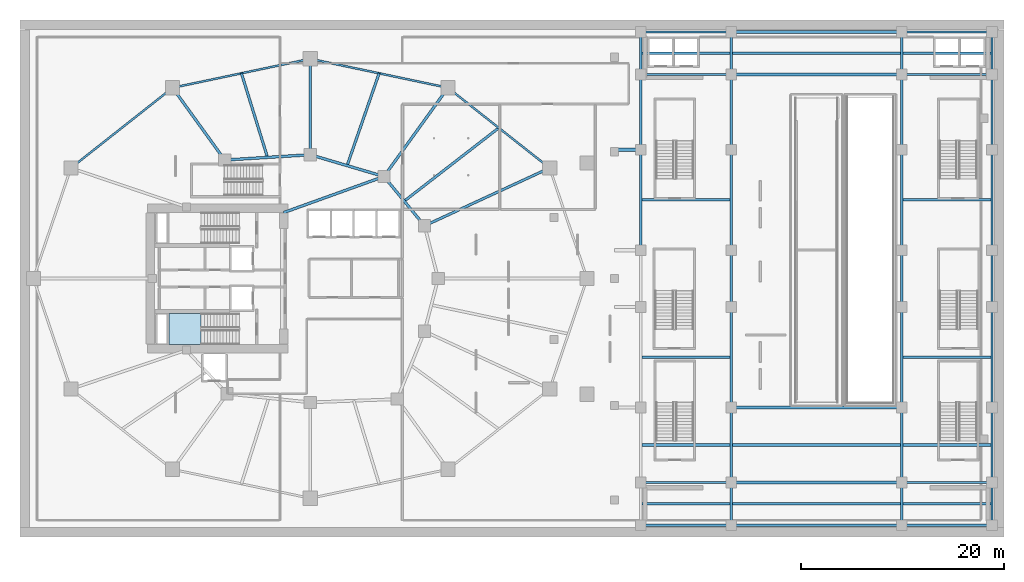
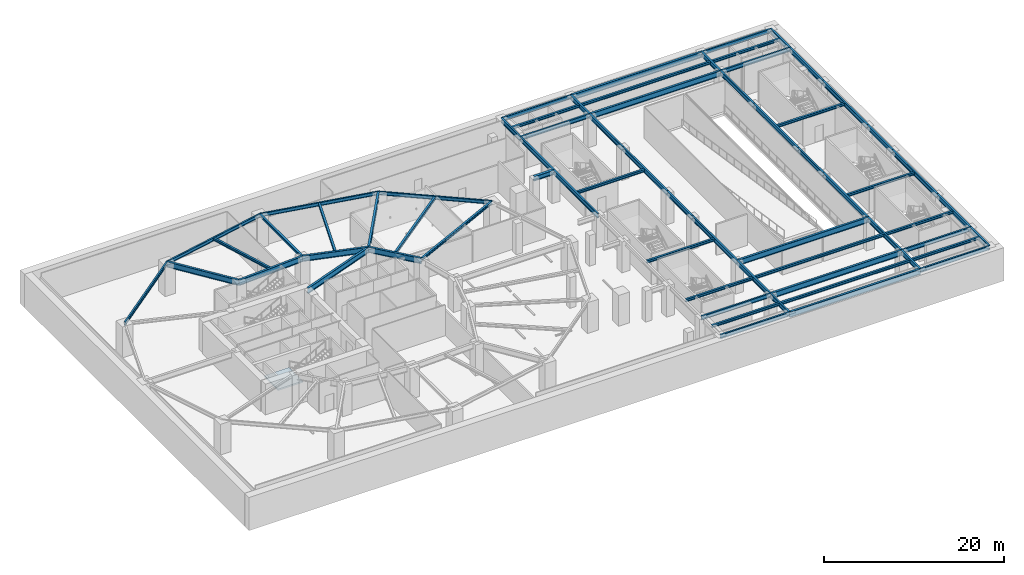
# One storey, part 2 of 16: 66 beams, 1 slab, 1 element without a shape of its own.
"""IFC4 building model written with IfcOpenShell, lengths in metres."""

from ifc_helpers import new_model, si_unit, direction, frame, origin, origin_2d, place, context, subcontext, project, spatial, polyline, i_section, outline, extrude, material, layer, layer_set, material_profile, profile_set, type_object, element, aggregate, save


model = new_model("IFC4")

# Units and contexts
model_context = context("Model", 3, precision=1e-05, world=origin(), true_north=direction((0.0, 1.0)))
body_context = subcontext(model_context, "Body", "Model", "MODEL_VIEW")
ifc_project = project(units=[si_unit("LENGTHUNIT", "METRE"), si_unit("AREAUNIT", "SQUARE_METRE"), si_unit("VOLUMEUNIT", "CUBIC_METRE"), si_unit("PLANEANGLEUNIT", "RADIAN"), si_unit("MASSUNIT", "GRAM", prefix="KILO")], contexts=[model_context])

# Site, building, storey
site_placement = place(None, origin())
site = spatial("IfcSite", under=ifc_project, at=site_placement, CompositionType="ELEMENT")
building_placement = place(site_placement, origin())
building = spatial("IfcBuilding", under=site, at=building_placement, Name="Kolvaren Gate Tower and Convention Centre", CompositionType="ELEMENT")
storey_placement = place(building_placement, frame((0.0, 0.0, -9.0)))
storey = spatial("IfcBuildingStorey", under=building, at=storey_placement, Name="B2", CompositionType="ELEMENT", Elevation=-9.0)

# Beams
ifc_material_1 = material(Name="Structural steel ASTM A992 Grade 345 MPa", Category="steel")
ifc_material_profile_1 = material_profile(ifc_material_1, i_section(OverallWidth=0.2119140625, OverallDepth=0.5439453125, WebThickness=0.01318359375, FlangeThickness=0.021240234375, at=origin_2d()), Name="W530X123")
ifc_profile_set_1 = profile_set([ifc_material_profile_1], Name="Structural steel ASTM A992 Grade 345 MPa")
beam_type_1 = type_object("IfcBeamType", Name="STR-BM-W530X123", PredefinedType="BEAM", material=ifc_profile_set_1)
for number, where, z_axis, x_axis, name in (
    (1, (62.699951171875, 2.699951171875, 3.907958984375), (1.0, 0.0, 0.0), (0.0, 1.0, 0.0), "Convention B2 Transverse Girder CTG-11"),
    (2, (88.39990234375, 2.699951171875, 3.907958984375), (1.0, 0.0, 0.0), (0.0, 1.0, 0.0), "Convention B2 Transverse Girder CTG-31"),
    (3, (62.699951171875, 6.89990234375, 3.907958984375), (1.0, 0.0, 0.0), (0.0, 1.0, 0.0), "Convention B2 Transverse Girder CTG-12"),
    (4, (88.39990234375, 6.89990234375, 3.907958984375), (1.0, 0.0, 0.0), (0.0, 1.0, 0.0), "Convention B2 Transverse Girder CTG-32"),
    (5, (62.699951171875, 47.10009765625, 3.907958984375), (1.0, 0.0, 0.0), (0.0, 1.0, 0.0), "Convention B2 Transverse Girder CTG-17"),
    (6, (88.39990234375, 47.10009765625, 3.907958984375), (1.0, 0.0, 0.0), (0.0, 1.0, 0.0), "Convention B2 Transverse Girder CTG-37"),
    (7, (62.699951171875, 51.300048828125, 3.907958984375), (1.0, 0.0, 0.0), (0.0, 1.0, 0.0), "Convention B2 Transverse Girder CTG-18"),
    (8, (88.39990234375, 51.300048828125, 3.907958984375), (1.0, 0.0, 0.0), (0.0, 1.0, 0.0), "Convention B2 Transverse Girder CTG-38"),
):
    element("IfcBeam", number, at=place(storey_placement, frame(where, z_axis=z_axis, x_axis=x_axis)), inside=storey, type_object=beam_type_1, Name=name, PredefinedType="BEAM", context=body_context, shape_type="SweptSolid", body=[
        extrude(i_section(OverallWidth=0.2119140625, OverallDepth=0.5439453125, WebThickness=0.01318359375, FlangeThickness=0.021240234375, at=origin_2d()), origin(), (0.0, 0.0, 1.0), 8.900146484375),
    ])
ifc_material_profile_2 = material_profile(ifc_material_1, i_section(OverallWidth=0.22998046875, OverallDepth=0.616943359375, WebThickness=0.01318359375, FlangeThickness=0.022216796875, at=origin_2d()), Name="W610X140")
ifc_profile_set_2 = profile_set([ifc_material_profile_2], Name="Structural steel ASTM A992 Grade 345 MPa")
beam_type_2 = type_object("IfcBeamType", Name="STR-BM-W610X140", PredefinedType="BEAM", material=ifc_profile_set_2)
beam_1_placement = place(storey_placement, frame((62.699951171875, 29.800048828125, 3.87158203125), z_axis=(0.0, 1.0, 0.0), x_axis=(-1.0, 0.0, 0.0)))
element("IfcBeam", 9, at=beam_1_placement, inside=storey, type_object=beam_type_2, Name="Convention B2 Longitudinal Girder CG-15", PredefinedType="BEAM", context=body_context, shape_type="SweptSolid", body=[
    extrude(i_section(OverallWidth=0.22998046875, OverallDepth=0.616943359375, WebThickness=0.01318359375, FlangeThickness=0.022216796875, at=origin_2d()), origin(), (0.0, 0.0, 1.0), 9.89990234375),
])
beam_2_placement = place(storey_placement, frame((62.699951171875, 39.699951171875, 3.87158203125), z_axis=(0.0, 1.0, 0.0), x_axis=(-1.0, 0.0, 0.0)))
element("IfcBeam", 10, at=beam_2_placement, inside=storey, type_object=beam_type_2, Name="Convention B2 Longitudinal Girder CG-16", PredefinedType="BEAM", context=body_context, shape_type="SweptSolid", body=[
    extrude(i_section(OverallWidth=0.22998046875, OverallDepth=0.616943359375, WebThickness=0.01318359375, FlangeThickness=0.022216796875, at=origin_2d()), origin(), (0.0, 0.0, 1.0), 7.400146484375),
])
for number, where, z_axis, x_axis, name in (
    (11, (62.699951171875, 47.10009765625, 3.87158203125), (0.0, 1.0, 0.0), (-1.0, 0.0, 0.0), "Convention B2 Longitudinal Girder CG-17"),
    (12, (71.60009765625, 2.699951171875, 3.87158203125), (0.0, 1.0, 0.0), (-1.0, 0.0, 0.0), "Convention B2 Longitudinal Girder CG-21"),
):
    element("IfcBeam", number, at=place(storey_placement, frame(where, z_axis=z_axis, x_axis=x_axis)), inside=storey, type_object=beam_type_2, Name=name, PredefinedType="BEAM", context=body_context, shape_type="SweptSolid", body=[
        extrude(i_section(OverallWidth=0.22998046875, OverallDepth=0.616943359375, WebThickness=0.01318359375, FlangeThickness=0.022216796875, at=origin_2d()), origin(), (0.0, 0.0, 1.0), 4.199951171875),
    ])
beam_3_placement = place(storey_placement, frame((71.60009765625, 6.89990234375, 3.87158203125), z_axis=(0.0, 1.0, 0.0), x_axis=(-1.0, 0.0, 0.0)))
element("IfcBeam", 13, at=beam_3_placement, inside=storey, type_object=beam_type_2, Name="Convention B2 Longitudinal Girder CG-22", PredefinedType="BEAM", context=body_context, shape_type="SweptSolid", body=[
    extrude(i_section(OverallWidth=0.22998046875, OverallDepth=0.616943359375, WebThickness=0.01318359375, FlangeThickness=0.022216796875, at=origin_2d()), origin(), (0.0, 0.0, 1.0), 7.400146484375),
])
beam_4_placement = place(storey_placement, frame((71.60009765625, 14.300048828125, 3.87158203125), z_axis=(0.0, 1.0, 0.0), x_axis=(-1.0, 0.0, 0.0)))
element("IfcBeam", 14, at=beam_4_placement, inside=storey, type_object=beam_type_2, Name="Convention B2 Longitudinal Girder CG-23", PredefinedType="BEAM", context=body_context, shape_type="SweptSolid", body=[
    extrude(i_section(OverallWidth=0.22998046875, OverallDepth=0.616943359375, WebThickness=0.01318359375, FlangeThickness=0.022216796875, at=origin_2d()), origin(), (0.0, 0.0, 1.0), 9.89990234375),
])
beam_5_placement = place(storey_placement, frame((71.60009765625, 24.199951171875, 3.87158203125), z_axis=(0.0, 1.0, 0.0), x_axis=(-1.0, 0.0, 0.0)))
element("IfcBeam", 15, at=beam_5_placement, inside=storey, type_object=beam_type_2, Name="Convention B2 Longitudinal Girder CG-24", PredefinedType="BEAM", context=body_context, shape_type="SweptSolid", body=[
    extrude(i_section(OverallWidth=0.22998046875, OverallDepth=0.616943359375, WebThickness=0.01318359375, FlangeThickness=0.022216796875, at=origin_2d()), origin(), (0.0, 0.0, 1.0), 5.60009765625),
])
beam_6_placement = place(storey_placement, frame((71.60009765625, 29.800048828125, 3.87158203125), z_axis=(0.0, 1.0, 0.0), x_axis=(-1.0, 0.0, 0.0)))
element("IfcBeam", 16, at=beam_6_placement, inside=storey, type_object=beam_type_2, Name="Convention B2 Longitudinal Girder CG-25", PredefinedType="BEAM", context=body_context, shape_type="SweptSolid", body=[
    extrude(i_section(OverallWidth=0.22998046875, OverallDepth=0.616943359375, WebThickness=0.01318359375, FlangeThickness=0.022216796875, at=origin_2d()), origin(), (0.0, 0.0, 1.0), 9.89990234375),
])
beam_7_placement = place(storey_placement, frame((71.60009765625, 39.699951171875, 3.87158203125), z_axis=(0.0, 1.0, 0.0), x_axis=(-1.0, 0.0, 0.0)))
element("IfcBeam", 17, at=beam_7_placement, inside=storey, type_object=beam_type_2, Name="Convention B2 Longitudinal Girder CG-26", PredefinedType="BEAM", context=body_context, shape_type="SweptSolid", body=[
    extrude(i_section(OverallWidth=0.22998046875, OverallDepth=0.616943359375, WebThickness=0.01318359375, FlangeThickness=0.022216796875, at=origin_2d()), origin(), (0.0, 0.0, 1.0), 7.400146484375),
])
for number, where, z_axis, x_axis, name in (
    (18, (71.60009765625, 47.10009765625, 3.87158203125), (0.0, 1.0, 0.0), (-1.0, 0.0, 0.0), "Convention B2 Longitudinal Girder CG-27"),
    (19, (88.39990234375, 2.699951171875, 3.87158203125), (0.0, 1.0, 0.0), (-1.0, 0.0, 0.0), "Convention B2 Longitudinal Girder CG-31"),
):
    element("IfcBeam", number, at=place(storey_placement, frame(where, z_axis=z_axis, x_axis=x_axis)), inside=storey, type_object=beam_type_2, Name=name, PredefinedType="BEAM", context=body_context, shape_type="SweptSolid", body=[
        extrude(i_section(OverallWidth=0.22998046875, OverallDepth=0.616943359375, WebThickness=0.01318359375, FlangeThickness=0.022216796875, at=origin_2d()), origin(), (0.0, 0.0, 1.0), 4.199951171875),
    ])
beam_8_placement = place(storey_placement, frame((88.39990234375, 6.89990234375, 3.87158203125), z_axis=(0.0, 1.0, 0.0), x_axis=(-1.0, 0.0, 0.0)))
element("IfcBeam", 20, at=beam_8_placement, inside=storey, type_object=beam_type_2, Name="Convention B2 Longitudinal Girder CG-32", PredefinedType="BEAM", context=body_context, shape_type="SweptSolid", body=[
    extrude(i_section(OverallWidth=0.22998046875, OverallDepth=0.616943359375, WebThickness=0.01318359375, FlangeThickness=0.022216796875, at=origin_2d()), origin(), (0.0, 0.0, 1.0), 7.400146484375),
])
beam_9_placement = place(storey_placement, frame((88.39990234375, 14.300048828125, 3.87158203125), z_axis=(0.0, 1.0, 0.0), x_axis=(-1.0, 0.0, 0.0)))
element("IfcBeam", 21, at=beam_9_placement, inside=storey, type_object=beam_type_2, Name="Convention B2 Longitudinal Girder CG-33", PredefinedType="BEAM", context=body_context, shape_type="SweptSolid", body=[
    extrude(i_section(OverallWidth=0.22998046875, OverallDepth=0.616943359375, WebThickness=0.01318359375, FlangeThickness=0.022216796875, at=origin_2d()), origin(), (0.0, 0.0, 1.0), 9.89990234375),
])
beam_10_placement = place(storey_placement, frame((88.39990234375, 24.199951171875, 3.87158203125), z_axis=(0.0, 1.0, 0.0), x_axis=(-1.0, 0.0, 0.0)))
element("IfcBeam", 22, at=beam_10_placement, inside=storey, type_object=beam_type_2, Name="Convention B2 Longitudinal Girder CG-34", PredefinedType="BEAM", context=body_context, shape_type="SweptSolid", body=[
    extrude(i_section(OverallWidth=0.22998046875, OverallDepth=0.616943359375, WebThickness=0.01318359375, FlangeThickness=0.022216796875, at=origin_2d()), origin(), (0.0, 0.0, 1.0), 5.60009765625),
])
beam_11_placement = place(storey_placement, frame((88.39990234375, 29.800048828125, 3.87158203125), z_axis=(0.0, 1.0, 0.0), x_axis=(-1.0, 0.0, 0.0)))
element("IfcBeam", 23, at=beam_11_placement, inside=storey, type_object=beam_type_2, Name="Convention B2 Longitudinal Girder CG-35", PredefinedType="BEAM", context=body_context, shape_type="SweptSolid", body=[
    extrude(i_section(OverallWidth=0.22998046875, OverallDepth=0.616943359375, WebThickness=0.01318359375, FlangeThickness=0.022216796875, at=origin_2d()), origin(), (0.0, 0.0, 1.0), 9.89990234375),
])
beam_12_placement = place(storey_placement, frame((88.39990234375, 39.699951171875, 3.87158203125), z_axis=(0.0, 1.0, 0.0), x_axis=(-1.0, 0.0, 0.0)))
element("IfcBeam", 24, at=beam_12_placement, inside=storey, type_object=beam_type_2, Name="Convention B2 Longitudinal Girder CG-36", PredefinedType="BEAM", context=body_context, shape_type="SweptSolid", body=[
    extrude(i_section(OverallWidth=0.22998046875, OverallDepth=0.616943359375, WebThickness=0.01318359375, FlangeThickness=0.022216796875, at=origin_2d()), origin(), (0.0, 0.0, 1.0), 7.400146484375),
])
for number, where, z_axis, x_axis, name in (
    (25, (88.39990234375, 47.10009765625, 3.87158203125), (0.0, 1.0, 0.0), (-1.0, 0.0, 0.0), "Convention B2 Longitudinal Girder CG-37"),
    (26, (97.300048828125, 2.699951171875, 3.87158203125), (0.0, 1.0, 0.0), (-1.0, 0.0, 0.0), "Convention B2 Longitudinal Girder CG-41"),
):
    element("IfcBeam", number, at=place(storey_placement, frame(where, z_axis=z_axis, x_axis=x_axis)), inside=storey, type_object=beam_type_2, Name=name, PredefinedType="BEAM", context=body_context, shape_type="SweptSolid", body=[
        extrude(i_section(OverallWidth=0.22998046875, OverallDepth=0.616943359375, WebThickness=0.01318359375, FlangeThickness=0.022216796875, at=origin_2d()), origin(), (0.0, 0.0, 1.0), 4.199951171875),
    ])
beam_13_placement = place(storey_placement, frame((97.300048828125, 6.89990234375, 3.87158203125), z_axis=(0.0, 1.0, 0.0), x_axis=(-1.0, 0.0, 0.0)))
element("IfcBeam", 27, at=beam_13_placement, inside=storey, type_object=beam_type_2, Name="Convention B2 Longitudinal Girder CG-42", PredefinedType="BEAM", context=body_context, shape_type="SweptSolid", body=[
    extrude(i_section(OverallWidth=0.22998046875, OverallDepth=0.616943359375, WebThickness=0.01318359375, FlangeThickness=0.022216796875, at=origin_2d()), origin(), (0.0, 0.0, 1.0), 7.400146484375),
])
beam_14_placement = place(storey_placement, frame((97.300048828125, 14.300048828125, 3.87158203125), z_axis=(0.0, 1.0, 0.0), x_axis=(-1.0, 0.0, 0.0)))
element("IfcBeam", 28, at=beam_14_placement, inside=storey, type_object=beam_type_2, Name="Convention B2 Longitudinal Girder CG-43", PredefinedType="BEAM", context=body_context, shape_type="SweptSolid", body=[
    extrude(i_section(OverallWidth=0.22998046875, OverallDepth=0.616943359375, WebThickness=0.01318359375, FlangeThickness=0.022216796875, at=origin_2d()), origin(), (0.0, 0.0, 1.0), 9.89990234375),
])
beam_15_placement = place(storey_placement, frame((97.300048828125, 24.199951171875, 3.87158203125), z_axis=(0.0, 1.0, 0.0), x_axis=(-1.0, 0.0, 0.0)))
element("IfcBeam", 29, at=beam_15_placement, inside=storey, type_object=beam_type_2, Name="Convention B2 Longitudinal Girder CG-44", PredefinedType="BEAM", context=body_context, shape_type="SweptSolid", body=[
    extrude(i_section(OverallWidth=0.22998046875, OverallDepth=0.616943359375, WebThickness=0.01318359375, FlangeThickness=0.022216796875, at=origin_2d()), origin(), (0.0, 0.0, 1.0), 5.60009765625),
])
beam_16_placement = place(storey_placement, frame((97.300048828125, 29.800048828125, 3.87158203125), z_axis=(0.0, 1.0, 0.0), x_axis=(-1.0, 0.0, 0.0)))
element("IfcBeam", 30, at=beam_16_placement, inside=storey, type_object=beam_type_2, Name="Convention B2 Longitudinal Girder CG-45", PredefinedType="BEAM", context=body_context, shape_type="SweptSolid", body=[
    extrude(i_section(OverallWidth=0.22998046875, OverallDepth=0.616943359375, WebThickness=0.01318359375, FlangeThickness=0.022216796875, at=origin_2d()), origin(), (0.0, 0.0, 1.0), 9.89990234375),
])
beam_17_placement = place(storey_placement, frame((97.300048828125, 39.699951171875, 3.87158203125), z_axis=(0.0, 1.0, 0.0), x_axis=(-1.0, 0.0, 0.0)))
element("IfcBeam", 31, at=beam_17_placement, inside=storey, type_object=beam_type_2, Name="Convention B2 Longitudinal Girder CG-46", PredefinedType="BEAM", context=body_context, shape_type="SweptSolid", body=[
    extrude(i_section(OverallWidth=0.22998046875, OverallDepth=0.616943359375, WebThickness=0.01318359375, FlangeThickness=0.022216796875, at=origin_2d()), origin(), (0.0, 0.0, 1.0), 7.400146484375),
])
beam_18_placement = place(storey_placement, frame((97.300048828125, 47.10009765625, 3.87158203125), z_axis=(0.0, 1.0, 0.0), x_axis=(-1.0, 0.0, 0.0)))
element("IfcBeam", 32, at=beam_18_placement, inside=storey, type_object=beam_type_2, Name="Convention B2 Longitudinal Girder CG-47", PredefinedType="BEAM", context=body_context, shape_type="SweptSolid", body=[
    extrude(i_section(OverallWidth=0.22998046875, OverallDepth=0.616943359375, WebThickness=0.01318359375, FlangeThickness=0.022216796875, at=origin_2d()), origin(), (0.0, 0.0, 1.0), 4.199951171875),
])
ifc_material_profile_3 = material_profile(ifc_material_1, i_section(OverallWidth=0.327880859375, OverallDepth=0.6279296875, WebThickness=0.0166015625, FlangeThickness=0.027587890625, at=origin_2d()), Name="W610X217")
ifc_profile_set_3 = profile_set([ifc_material_profile_3], Name="Structural steel ASTM A992 Grade 345 MPa")
beam_type_3 = type_object("IfcBeamType", Name="STR-BM-W610X217", PredefinedType="BEAM", material=ifc_profile_set_3)
beam_19_placement = place(storey_placement, frame((60.10009765625, 39.699951171875, 3.865966796875), z_axis=(1.0, 0.0, 0.0), x_axis=(0.0, 1.0, 0.0)))
element("IfcBeam", 33, at=beam_19_placement, inside=storey, type_object=beam_type_3, Name="Basement B2 Substructure Girder SG-39", PredefinedType="BEAM", context=body_context, shape_type="SweptSolid", body=[
    extrude(i_section(OverallWidth=0.327880859375, OverallDepth=0.6279296875, WebThickness=0.0166015625, FlangeThickness=0.027587890625, at=origin_2d()), origin(), (0.0, 0.0, 1.0), 2.599853515625),
])
ifc_material_profile_4 = material_profile(ifc_material_1, i_section(OverallWidth=0.26806640625, OverallDepth=0.758056640625, WebThickness=0.016357421875, FlangeThickness=0.025390625, at=origin_2d()), Name="W760X220")
ifc_profile_set_4 = profile_set([ifc_material_profile_4], Name="Structural steel ASTM A992 Grade 345 MPa")
beam_type_4 = type_object("IfcBeamType", Name="STR-BM-W760X220", PredefinedType="BEAM", material=ifc_profile_set_4)
beam_20_placement = place(storey_placement, frame((41.382080078125, 32.199462890625, 3.801025390625), z_axis=(-0.635884066011, 0.771784590798, 0.0), x_axis=(-0.771784590798, -0.635884066011, 0.0)))
element("IfcBeam", 34, at=beam_20_placement, inside=storey, type_object=beam_type_4, Name="Tower B2 Primary Ring Girder G-02", PredefinedType="BEAM", context=body_context, shape_type="SweptSolid", body=[
    extrude(i_section(OverallWidth=0.26806640625, OverallDepth=0.758056640625, WebThickness=0.016357421875, FlangeThickness=0.025390625, at=origin_2d()), origin(), (0.0, 0.0, 1.0), 6.291259765625),
])
beam_21_placement = place(storey_placement, frame((37.381591796875, 37.054931640625, 3.801025390625), z_axis=(-0.958980837827, 0.283470902706, 0.0), x_axis=(-0.283470902706, -0.958980837827, 0.0)))
element("IfcBeam", 35, at=beam_21_placement, inside=storey, type_object=beam_type_4, Name="Tower B2 Primary Ring Girder G-03", PredefinedType="BEAM", context=body_context, shape_type="SweptSolid", body=[
    extrude(i_section(OverallWidth=0.26806640625, OverallDepth=0.758056640625, WebThickness=0.016357421875, FlangeThickness=0.025390625, at=origin_2d()), origin(), (0.0, 0.0, 1.0), 7.56689453125),
])
beam_22_placement = place(storey_placement, frame((30.125, 39.199951171875, 3.801025390625), z_axis=(-0.998078258568, -0.06196603726, 0.0), x_axis=(0.06196603726, -0.998078258568, 0.0)))
element("IfcBeam", 36, at=beam_22_placement, inside=storey, type_object=beam_type_4, Name="Tower B2 Primary Ring Girder G-04", PredefinedType="BEAM", context=body_context, shape_type="SweptSolid", body=[
    extrude(i_section(OverallWidth=0.26806640625, OverallDepth=0.758056640625, WebThickness=0.016357421875, FlangeThickness=0.025390625, at=origin_2d()), origin(), (0.0, 0.0, 1.0), 8.443115234375),
])
beam_23_placement = place(storey_placement, frame((27.5, 33.5, 3.801025390625), z_axis=(0.940961479908, 0.338513653093, 0.0), x_axis=(-0.338513653093, 0.940961479908, 0.0)))
element("IfcBeam", 37, at=beam_23_placement, inside=storey, type_object=beam_type_4, Name="Tower B2 Primary Ring Girder G-10", PredefinedType="BEAM", context=body_context, shape_type="SweptSolid", body=[
    extrude(i_section(OverallWidth=0.26806640625, OverallDepth=0.758056640625, WebThickness=0.016357421875, FlangeThickness=0.025390625, at=origin_2d()), origin(), (0.0, 0.0, 1.0), 10.501708984375),
])
beam_24_placement = place(storey_placement, frame((37.381591796875, 37.054931640625, 3.801025390625), z_axis=(0.585205244783, 0.81088520857, 0.0), x_axis=(-0.81088520857, 0.585205244783, 0.0)))
element("IfcBeam", 38, at=beam_24_placement, inside=storey, type_object=beam_type_4, Name="Tower B2 Radial Floor Girder RB-03", PredefinedType="BEAM", context=body_context, shape_type="SweptSolid", body=[
    extrude(i_section(OverallWidth=0.26806640625, OverallDepth=0.758056640625, WebThickness=0.016357421875, FlangeThickness=0.025390625, at=origin_2d()), origin(), (0.0, 0.0, 1.0), 10.780029296875),
])
beam_25_placement = place(storey_placement, frame((21.697998046875, 38.6767578125, 3.801025390625), z_axis=(-0.585208283095, 0.810883015852, 0.0), x_axis=(-0.810883015852, -0.585208283095, 0.0)))
element("IfcBeam", 39, at=beam_25_placement, inside=storey, type_object=beam_type_4, Name="Tower B2 Radial Floor Girder RB-05", PredefinedType="BEAM", context=body_context, shape_type="SweptSolid", body=[
    extrude(i_section(OverallWidth=0.26806640625, OverallDepth=0.758056640625, WebThickness=0.016357421875, FlangeThickness=0.025390625, at=origin_2d()), origin(), (0.0, 0.0, 1.0), 8.780029296875),
])
for number, where, z_axis, x_axis, name in (
    (40, (71.60009765625, 2.699951171875, 3.801025390625), (1.0, 0.0, 0.0), (0.0, 1.0, 0.0), "Convention B2 Transverse Girder CTG-21"),
    (41, (71.60009765625, 6.89990234375, 3.801025390625), (1.0, 0.0, 0.0), (0.0, 1.0, 0.0), "Convention B2 Transverse Girder CTG-22"),
    (42, (71.60009765625, 14.300048828125, 3.801025390625), (1.0, 0.0, 0.0), (0.0, 1.0, 0.0), "Convention B2 Transverse Girder CTG-23"),
    (43, (71.60009765625, 47.10009765625, 3.801025390625), (1.0, 0.0, 0.0), (0.0, 1.0, 0.0), "Convention B2 Transverse Girder CTG-27"),
    (44, (71.60009765625, 51.300048828125, 3.801025390625), (1.0, 0.0, 0.0), (0.0, 1.0, 0.0), "Convention B2 Transverse Girder CTG-28"),
):
    element("IfcBeam", number, at=place(storey_placement, frame(where, z_axis=z_axis, x_axis=x_axis)), inside=storey, type_object=beam_type_4, Name=name, PredefinedType="BEAM", context=body_context, shape_type="SweptSolid", body=[
        extrude(i_section(OverallWidth=0.26806640625, OverallDepth=0.758056640625, WebThickness=0.016357421875, FlangeThickness=0.025390625, at=origin_2d()), origin(), (0.0, 0.0, 1.0), 16.7998046875),
    ])
ifc_material_profile_5 = material_profile(ifc_material_1, i_section(OverallWidth=0.2548828125, OverallDepth=0.35693359375, WebThickness=0.010498046875, FlangeThickness=0.018310546875, at=origin_2d()), Name="W360X101")
ifc_profile_set_5 = profile_set([ifc_material_profile_5], Name="Structural steel ASTM A992 Grade 345 MPa")
beam_type_5 = type_object("IfcBeamType", Name="STR-JS-W360X101", PredefinedType="JOIST", material=ifc_profile_set_5)
beam_26_placement = place(storey_placement, frame((41.382080078125, 32.199462890625, 4.00146484375), z_axis=(0.907842006347, 0.419312403241, 0.0), x_axis=(-0.419312403241, 0.907842006347, 0.0)))
element("IfcBeam", 45, at=beam_26_placement, inside=storey, type_object=beam_type_5, Name="Tower B2 Radial Floor Girder RB-02", PredefinedType="JOIST", context=body_context, shape_type="SweptSolid", body=[
    extrude(i_section(OverallWidth=0.2548828125, OverallDepth=0.35693359375, WebThickness=0.010498046875, FlangeThickness=0.018310546875, at=origin_2d()), origin(), (0.0, 0.0, 1.0), 13.57958984375),
])
beam_27_placement = place(storey_placement, frame((30.125, 39.199951171875, 4.00146484375), z_axis=(0.0, 1.0, 0.0), x_axis=(-1.0, 0.0, 0.0)))
element("IfcBeam", 46, at=beam_27_placement, inside=storey, type_object=beam_type_5, Name="Tower B2 Radial Floor Girder RB-04", PredefinedType="JOIST", context=body_context, shape_type="SweptSolid", body=[
    extrude(i_section(OverallWidth=0.2548828125, OverallDepth=0.35693359375, WebThickness=0.010498046875, FlangeThickness=0.018310546875, at=origin_2d()), origin(), (0.0, 0.0, 1.0), 9.449951171875),
])
beam_28_placement = place(storey_placement, frame((39.3818359375, 34.627197265625, 4.00146484375), z_axis=(0.790577493994, 0.612362005671, 0.0), x_axis=(-0.612362005671, 0.790577493994, 0.0)))
element("IfcBeam", 47, at=beam_28_placement, inside=storey, type_object=beam_type_5, Name="Tower B2 Secondary Composite Floor Joist J-02.1", PredefinedType="JOIST", context=body_context, shape_type="SweptSolid", body=[
    extrude(i_section(OverallWidth=0.2548828125, OverallDepth=0.35693359375, WebThickness=0.010498046875, FlangeThickness=0.018310546875, at=origin_2d()), origin(), (0.0, 0.0, 1.0), 11.786865234375),
])
beam_29_placement = place(storey_placement, frame((33.75341796875, 38.12744140625, 4.00146484375), z_axis=(0.327647050942, 0.944800195813, 0.0), x_axis=(-0.944800195813, 0.327647050942, 0.0)))
element("IfcBeam", 48, at=beam_29_placement, inside=storey, type_object=beam_type_5, Name="Tower B2 Secondary Composite Floor Joist J-03.1", PredefinedType="JOIST", context=body_context, shape_type="SweptSolid", body=[
    extrude(i_section(OverallWidth=0.2548828125, OverallDepth=0.35693359375, WebThickness=0.010498046875, FlangeThickness=0.018310546875, at=origin_2d()), origin(), (0.0, 0.0, 1.0), 9.627197265625),
])
beam_30_placement = place(storey_placement, frame((25.91162109375, 38.938232421875, 4.00146484375), z_axis=(-0.296205333134, 0.955124285433, 0.0), x_axis=(-0.955124285433, -0.296205333134, 0.0)))
element("IfcBeam", 49, at=beam_30_placement, inside=storey, type_object=beam_type_5, Name="Tower B2 Secondary Composite Floor Joist J-04.1", PredefinedType="JOIST", context=body_context, shape_type="SweptSolid", body=[
    extrude(i_section(OverallWidth=0.2548828125, OverallDepth=0.35693359375, WebThickness=0.010498046875, FlangeThickness=0.018310546875, at=origin_2d()), origin(), (0.0, 0.0, 1.0), 8.674072265625),
])
beam_31_placement = place(storey_placement, frame((62.81494140625, 4.800048828125, 4.00146484375), z_axis=(1.0, 0.0, 0.0), x_axis=(0.0, 1.0, 0.0)))
element("IfcBeam", 50, at=beam_31_placement, inside=storey, type_object=beam_type_5, Name="Convention B2 Composite Floor Joist CJ-11", PredefinedType="JOIST", context=body_context, shape_type="SweptSolid", body=[
    extrude(i_section(OverallWidth=0.2548828125, OverallDepth=0.35693359375, WebThickness=0.010498046875, FlangeThickness=0.018310546875, at=origin_2d()), origin(), (0.0, 0.0, 1.0), 8.670166015625),
])
beam_32_placement = place(storey_placement, frame((71.715087890625, 4.800048828125, 4.00146484375), z_axis=(1.0, 0.0, 0.0), x_axis=(0.0, 1.0, 0.0)))
element("IfcBeam", 51, at=beam_32_placement, inside=storey, type_object=beam_type_5, Name="Convention B2 Composite Floor Joist CJ-21", PredefinedType="JOIST", context=body_context, shape_type="SweptSolid", body=[
    extrude(i_section(OverallWidth=0.2548828125, OverallDepth=0.35693359375, WebThickness=0.010498046875, FlangeThickness=0.018310546875, at=origin_2d()), origin(), (0.0, 0.0, 1.0), 16.56982421875),
])
for number, where, z_axis, x_axis, name in (
    (52, (88.514892578125, 4.800048828125, 4.00146484375), (1.0, 0.0, 0.0), (0.0, 1.0, 0.0), "Convention B2 Composite Floor Joist CJ-31"),
    (53, (62.81494140625, 10.60009765625, 4.00146484375), (1.0, 0.0, 0.0), (0.0, 1.0, 0.0), "Convention B2 Composite Floor Joist CJ-12"),
):
    element("IfcBeam", number, at=place(storey_placement, frame(where, z_axis=z_axis, x_axis=x_axis)), inside=storey, type_object=beam_type_5, Name=name, PredefinedType="JOIST", context=body_context, shape_type="SweptSolid", body=[
        extrude(i_section(OverallWidth=0.2548828125, OverallDepth=0.35693359375, WebThickness=0.010498046875, FlangeThickness=0.018310546875, at=origin_2d()), origin(), (0.0, 0.0, 1.0), 8.670166015625),
    ])
beam_33_placement = place(storey_placement, frame((71.715087890625, 10.60009765625, 4.00146484375), z_axis=(1.0, 0.0, 0.0), x_axis=(0.0, 1.0, 0.0)))
element("IfcBeam", 54, at=beam_33_placement, inside=storey, type_object=beam_type_5, Name="Convention B2 Composite Floor Joist CJ-22", PredefinedType="JOIST", context=body_context, shape_type="SweptSolid", body=[
    extrude(i_section(OverallWidth=0.2548828125, OverallDepth=0.35693359375, WebThickness=0.010498046875, FlangeThickness=0.018310546875, at=origin_2d()), origin(), (0.0, 0.0, 1.0), 16.56982421875),
])
for number, where, z_axis, x_axis, name in (
    (55, (88.514892578125, 10.60009765625, 4.00146484375), (1.0, 0.0, 0.0), (0.0, 1.0, 0.0), "Convention B2 Composite Floor Joist CJ-32"),
    (56, (62.81494140625, 19.25, 4.00146484375), (1.0, 0.0, 0.0), (0.0, 1.0, 0.0), "Convention B2 Composite Floor Joist CJ-13"),
    (57, (88.514892578125, 19.25, 4.00146484375), (1.0, 0.0, 0.0), (0.0, 1.0, 0.0), "Convention B2 Composite Floor Joist CJ-33"),
    (58, (62.81494140625, 34.75, 4.00146484375), (1.0, 0.0, 0.0), (0.0, 1.0, 0.0), "Convention B2 Composite Floor Joist CJ-15"),
    (59, (88.514892578125, 34.75, 4.00146484375), (1.0, 0.0, 0.0), (0.0, 1.0, 0.0), "Convention B2 Composite Floor Joist CJ-35"),
    (60, (62.81494140625, 49.199951171875, 4.00146484375), (1.0, 0.0, 0.0), (0.0, 1.0, 0.0), "Convention B2 Composite Floor Joist CJ-17"),
):
    element("IfcBeam", number, at=place(storey_placement, frame(where, z_axis=z_axis, x_axis=x_axis)), inside=storey, type_object=beam_type_5, Name=name, PredefinedType="JOIST", context=body_context, shape_type="SweptSolid", body=[
        extrude(i_section(OverallWidth=0.2548828125, OverallDepth=0.35693359375, WebThickness=0.010498046875, FlangeThickness=0.018310546875, at=origin_2d()), origin(), (0.0, 0.0, 1.0), 8.670166015625),
    ])
beam_34_placement = place(storey_placement, frame((71.715087890625, 49.199951171875, 4.00146484375), z_axis=(1.0, 0.0, 0.0), x_axis=(0.0, 1.0, 0.0)))
element("IfcBeam", 61, at=beam_34_placement, inside=storey, type_object=beam_type_5, Name="Convention B2 Composite Floor Joist CJ-27", PredefinedType="JOIST", context=body_context, shape_type="SweptSolid", body=[
    extrude(i_section(OverallWidth=0.2548828125, OverallDepth=0.35693359375, WebThickness=0.010498046875, FlangeThickness=0.018310546875, at=origin_2d()), origin(), (0.0, 0.0, 1.0), 16.56982421875),
])
beam_35_placement = place(storey_placement, frame((88.514892578125, 49.199951171875, 4.00146484375), z_axis=(1.0, 0.0, 0.0), x_axis=(0.0, 1.0, 0.0)))
element("IfcBeam", 62, at=beam_35_placement, inside=storey, type_object=beam_type_5, Name="Convention B2 Composite Floor Joist CJ-37", PredefinedType="JOIST", context=body_context, shape_type="SweptSolid", body=[
    extrude(i_section(OverallWidth=0.2548828125, OverallDepth=0.35693359375, WebThickness=0.010498046875, FlangeThickness=0.018310546875, at=origin_2d()), origin(), (0.0, 0.0, 1.0), 8.670166015625),
])
ifc_material_profile_6 = material_profile(ifc_material_1, i_section(OverallWidth=0.194091796875, OverallDepth=0.468994140625, WebThickness=0.0126953125, FlangeThickness=0.0205078125, at=origin_2d()), Name="W460X106")
ifc_profile_set_6 = profile_set([ifc_material_profile_6], Name="Structural steel ASTM A992 Grade 345 MPa")
beam_type_6 = type_object("IfcBeamType", Name="STR-SP-W460X106", PredefinedType="SPANDREL", material=ifc_profile_set_6)
beam_36_placement = place(storey_placement, frame((53.710205078125, 37.8935546875, 3.945556640625), z_axis=(-0.785176498861, 0.619272044933, 0.0), x_axis=(-0.619272044933, -0.785176498861, 0.0)))
element("IfcBeam", 63, at=beam_36_placement, inside=storey, type_object=beam_type_6, Name="Tower B2 Perimeter Spandrel Beam SP-02", PredefinedType="SPANDREL", context=body_context, shape_type="SweptSolid", body=[
    extrude(i_section(OverallWidth=0.194091796875, OverallDepth=0.468994140625, WebThickness=0.0126953125, FlangeThickness=0.0205078125, at=origin_2d()), origin(), (0.0, 0.0, 1.0), 12.761474609375),
])
for number, where, z_axis, x_axis, name in (
    (64, (43.690185546875, 45.79638671875, 3.945556640625), (-0.978583407863, 0.205850707685, 0.0), (-0.205850707685, -0.978583407863, 0.0), "Tower B2 Perimeter Spandrel Beam SP-03"),
    (65, (30.125, 48.64990234375, 3.945556640625), (-0.978583407863, -0.205850707685, 0.0), (0.205850707685, -0.978583407863, 0.0), "Tower B2 Perimeter Spandrel Beam SP-04"),
):
    element("IfcBeam", number, at=place(storey_placement, frame(where, z_axis=z_axis, x_axis=x_axis)), inside=storey, type_object=beam_type_6, Name=name, PredefinedType="SPANDREL", context=body_context, shape_type="SweptSolid", body=[
        extrude(i_section(OverallWidth=0.194091796875, OverallDepth=0.468994140625, WebThickness=0.0126953125, FlangeThickness=0.0205078125, at=origin_2d()), origin(), (0.0, 0.0, 1.0), 13.862060546875),
    ])
beam_37_placement = place(storey_placement, frame((16.559814453125, 45.79638671875, 3.945556640625), z_axis=(-0.785176498861, -0.619272044933, 0.0), x_axis=(0.619272044933, -0.785176498861, 0.0)))
element("IfcBeam", 66, at=beam_37_placement, inside=storey, type_object=beam_type_6, Name="Tower B2 Perimeter Spandrel Beam SP-05", PredefinedType="SPANDREL", context=body_context, shape_type="SweptSolid", body=[
    extrude(i_section(OverallWidth=0.194091796875, OverallDepth=0.468994140625, WebThickness=0.0126953125, FlangeThickness=0.0205078125, at=origin_2d()), origin(), (0.0, 0.0, 1.0), 12.761474609375),
])

# Stair, slab
ifc_material_2 = material(Name="Concrete C50/60", Category="concrete")
stair_type = type_object("IfcStairType", Name="STR-STAIR-CORE", PredefinedType="HALF_TURN_STAIR", material=ifc_material_2)
stair_placement = place(storey_placement, origin())
stair = element("IfcStair", 67, at=stair_placement, inside=storey, type_object=stair_type, Name="B2 Tower South Exit Stair ST-T2", PredefinedType="HALF_TURN_STAIR")
ifc_layer = layer(ifc_material_2, 0.199951171875)
ifc_layer_set = layer_set([ifc_layer], Name="Concrete C50/60")
slab_type = type_object("IfcSlabType", Name="STR-SL-LAND-200", PredefinedType="LANDING", material=ifc_layer_set)
slab_placement = place(storey_placement, frame((0.0, 0.0, 2.050048828125)))
slab = element("IfcSlab", 68, at=slab_placement, type_object=slab_type, Name="ST-T2 landing 1", PredefinedType="LANDING", context=body_context, shape_type="SweptSolid", body=[
    extrude(outline(polyline([(19.3798828125, 23.5400390625), (16.199951171875, 23.5400390625), (16.199951171875, 20.5), (19.3798828125, 20.5), (19.3798828125, 23.5400390625)])), origin(), (0.0, 0.0, 1.0), 0.199951171875),
])
aggregate(stair, [slab])

save(model, "model.ifc")
